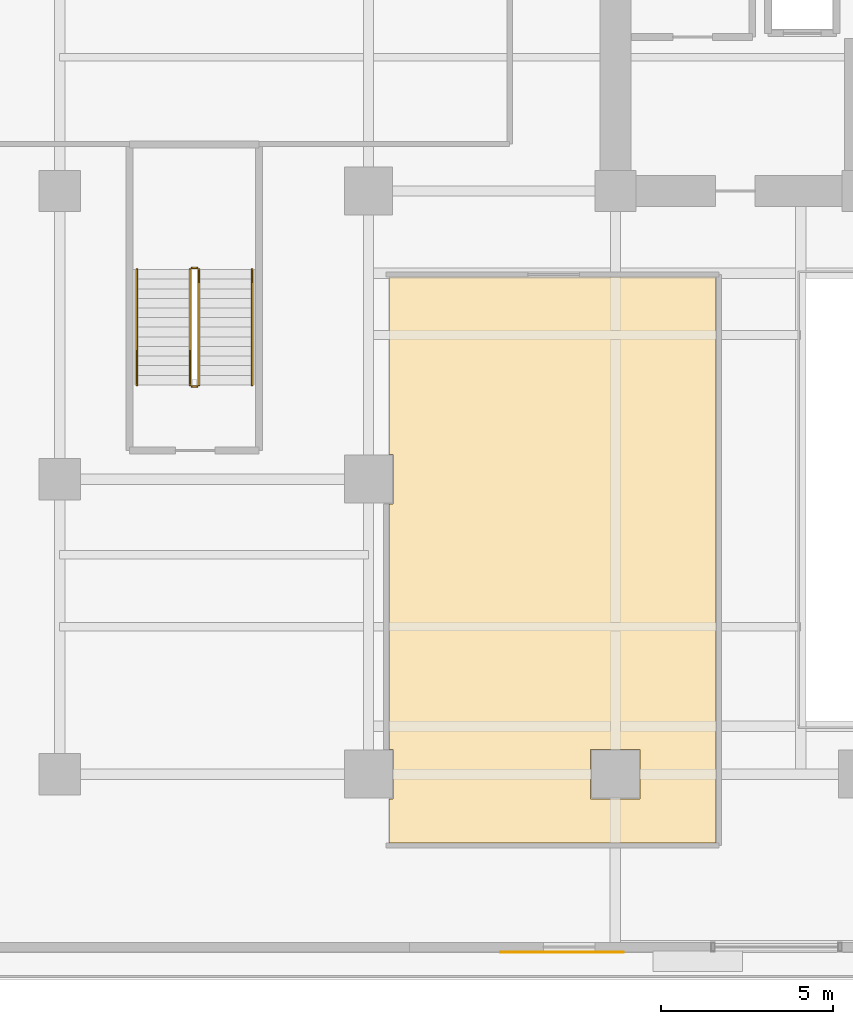
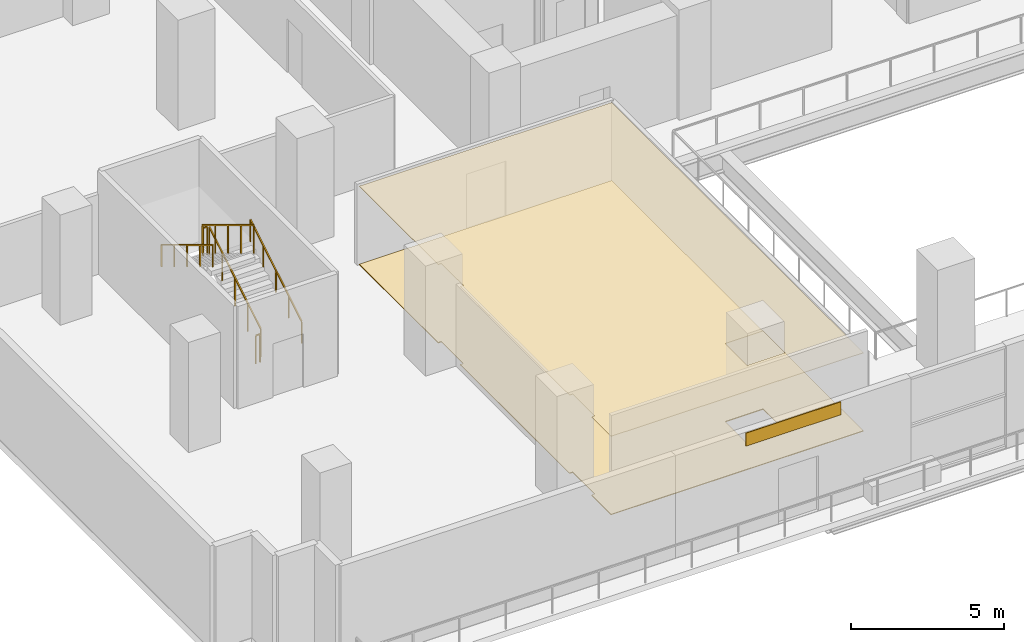
# One storey, part 17 of 23: 6 railings, 3 coverings.
"""IFC4 building model written with IfcOpenShell, lengths in metres."""

from ifc_helpers import new_model, si_unit, direction, frame, origin, origin_2d, place, context, subcontext, project, spatial, polyline, rectangle, outline, extrude, source, transform, mapped, material, layer, layer_set, type_object, element, save


model = new_model("IFC4")

# Units and contexts
model_context = context("Model", 3, precision=1e-05, world=origin(), true_north=direction((0.0, 1.0)))
body_context = subcontext(model_context, "Body", "Model", "MODEL_VIEW")
ifc_project = project(units=[si_unit("LENGTHUNIT", "METRE"), si_unit("AREAUNIT", "SQUARE_METRE"), si_unit("VOLUMEUNIT", "CUBIC_METRE"), si_unit("PLANEANGLEUNIT", "RADIAN"), si_unit("MASSUNIT", "GRAM", prefix="KILO")], contexts=[model_context])

# Site, building, storey
site_placement = place(None, origin())
site = spatial("IfcSite", under=ifc_project, at=site_placement, CompositionType="ELEMENT")
building_placement = place(site_placement, origin())
building = spatial("IfcBuilding", under=site, at=building_placement, Name="Zarnakvel Exchange Tower", CompositionType="ELEMENT")
storey_placement = place(building_placement, frame((0.0, 0.0, 13.800048828125)))
storey = spatial("IfcBuildingStorey", under=building, at=storey_placement, Name="L03", CompositionType="ELEMENT", Elevation=13.800048828125)

# Coverings
ifc_material_1 = material(Name="Perforated Bronze Acoustic Metal Ceiling", Category="aluminium")
ifc_layer_1 = layer(ifc_material_1, 0.02001953125)
ifc_layer_set_1 = layer_set([ifc_layer_1], Name="Perforated Bronze Acoustic Metal Ceiling")
covering_type_1 = type_object("IfcCoveringType", Name="CLG-01", PredefinedType="CEILING", material=ifc_layer_set_1)
covering_1_placement = place(storey_placement, frame((0.0, 0.0, 3.1298828125)))
element("IfcCovering", 1, at=covering_1_placement, inside=storey, type_object=covering_type_1, Name="L03 Suspended Acoustic Ceiling (Conference Auditorium)", PredefinedType="CEILING", context=body_context, shape_type="SweptSolid", body=[
    extrude(outline(polyline([(-11.4599609375, -3.7099609375), (-11.4599609375, -20.199951171875), (-21.0, -20.199951171875), (-21.0, -18.919921875), (-20.8798828125, -18.919921875), (-20.8798828125, -17.47998046875), (-21.0, -17.47998046875), (-21.0, -10.320068359375), (-20.8798828125, -10.320068359375), (-20.8798828125, -8.8798828125), (-21.0, -8.8798828125), (-21.0, -3.7099609375), (-11.4599609375, -3.7099609375)]), holes=[polyline([(-13.679931640625, -18.919921875), (-13.679931640625, -17.47998046875), (-15.1201171875, -17.47998046875), (-15.1201171875, -18.919921875), (-13.679931640625, -18.919921875)])]), origin(), (0.0, 0.0, 1.0), 0.02001953125),
])
ifc_material_2 = material(Name="Honed Limestone & Turquoise Inlay Stone", Category="masonry")
ifc_layer_2 = layer(ifc_material_2, 0.030029296875)
ifc_layer_set_2 = layer_set([ifc_layer_2], Name="Honed Limestone & Turquoise Inlay Stone")
covering_type_2 = type_object("IfcCoveringType", Name="FLR-01", PredefinedType="FLOORING", material=ifc_layer_set_2)
covering_2_placement = place(storey_placement, origin())
element("IfcCovering", 2, at=covering_2_placement, inside=storey, type_object=covering_type_2, Name="L03 Floor Finish (Conference Auditorium)", PredefinedType="FLOORING", context=body_context, shape_type="SweptSolid", body=[
    extrude(outline(polyline([(-11.4599609375, -3.7099609375), (-11.4599609375, -20.199951171875), (-21.0, -20.199951171875), (-21.0, -18.919921875), (-20.8798828125, -18.919921875), (-20.8798828125, -17.47998046875), (-21.0, -17.47998046875), (-21.0, -10.320068359375), (-20.8798828125, -10.320068359375), (-20.8798828125, -8.8798828125), (-21.0, -8.8798828125), (-21.0, -3.7099609375), (-11.4599609375, -3.7099609375)]), holes=[polyline([(-13.679931640625, -18.919921875), (-13.679931640625, -17.47998046875), (-15.1201171875, -17.47998046875), (-15.1201171875, -18.919921875), (-13.679931640625, -18.919921875)])]), origin(), (0.0, 0.0, 1.0), 0.030029296875),
])

# Railings
ifc_material_3 = material(Name="Brushed Stainless Steel", Category="steel")
railing_type_1 = type_object("IfcRailingType", Name="HR-01", PredefinedType="HANDRAIL", material=ifc_material_3)
railing_1_placement = place(storey_placement, frame((-24.989990234375, -6.85009765625, 0.169189453125)))
element("IfcRailing", 3, at=railing_1_placement, inside=storey, type_object=railing_type_1, Name="L03 ST-03 stair handrail 1", PredefinedType="HANDRAIL", context=body_context, shape_type="SweptSolid", body=[
    extrude(rectangle(XDim=0.048095703125, YDim=0.048095703125, at=origin_2d()), frame((0.0, 0.0, 0.8759765625), z_axis=(0.0, 0.855836976705, 0.517245656632), x_axis=(-1.0, 0.0, 0.0)), (0.0, 0.0, 1.0), 3.926025390625),
    extrude(rectangle(XDim=0.0419921875, YDim=0.0419921875, at=origin_2d()), origin(), (0.0, 0.0, 1.0), 0.851806640625),
    extrude(rectangle(XDim=0.0419921875, YDim=0.0419921875, at=origin_2d()), frame((0.0, 0.840087890625, 0.5078125)), (0.0, 0.0, 1.0), 0.851806640625),
    extrude(rectangle(XDim=0.0419921875, YDim=0.0419921875, at=origin_2d()), frame((0.0, 1.68017578125, 1.015380859375)), (0.0, 0.0, 1.0), 0.851806640625),
    extrude(rectangle(XDim=0.0419921875, YDim=0.0419921875, at=origin_2d()), frame((0.0, 2.52001953125, 1.52294921875)), (0.0, 0.0, 1.0), 0.851806640625),
    extrude(rectangle(XDim=0.0419921875, YDim=0.0419921875, at=origin_2d()), frame((0.0, 3.360107421875, 2.03076171875)), (0.0, 0.0, 1.0), 0.851806640625),
])
railing_2_placement = place(storey_placement, frame((-28.35009765625, -3.489990234375, 2.369140625)))
element("IfcRailing", 4, at=railing_2_placement, inside=storey, type_object=railing_type_1, Name="L03 ST-03 stair handrail 2", PredefinedType="HANDRAIL", context=body_context, shape_type="SweptSolid", body=[
    extrude(rectangle(XDim=0.048095703125, YDim=0.048095703125, at=origin_2d()), frame((0.0, 0.0, 0.8759765625), z_axis=(0.0, -0.855836976705, 0.517245656632), x_axis=(1.0, 0.0, 0.0)), (0.0, 0.0, 1.0), 3.926025390625),
    extrude(rectangle(XDim=0.0419921875, YDim=0.0419921875, at=origin_2d()), origin(), (0.0, 0.0, 1.0), 0.851806640625),
    extrude(rectangle(XDim=0.0419921875, YDim=0.0419921875, at=origin_2d()), frame((0.0, -0.840087890625, 0.5078125)), (0.0, 0.0, 1.0), 0.851806640625),
    extrude(rectangle(XDim=0.0419921875, YDim=0.0419921875, at=origin_2d()), frame((0.0, -1.68017578125, 1.015380859375)), (0.0, 0.0, 1.0), 0.851806640625),
    extrude(rectangle(XDim=0.0419921875, YDim=0.0419921875, at=origin_2d()), frame((0.0, -2.52001953125, 1.52294921875)), (0.0, 0.0, 1.0), 0.851806640625),
    extrude(rectangle(XDim=0.0419921875, YDim=0.0419921875, at=origin_2d()), frame((0.0, -3.360107421875, 2.03076171875)), (0.0, 0.0, 1.0), 0.851806640625),
])
ifc_material_4 = material(Name="Architectural Bronze Anodised Aluminium", Category="aluminium")
railing_type_2 = type_object("IfcRailingType", Name="SG-01", PredefinedType="GUARDRAIL", material=ifc_material_4)
railing_3_placement = place(storey_placement, frame((-26.5400390625, -6.85009765625, 0.169189453125)))
element("IfcRailing", 5, at=railing_3_placement, inside=storey, type_object=railing_type_2, Name="L03 ST-03 stair guard 1", PredefinedType="GUARDRAIL", context=body_context, shape_type="SweptSolid", body=[
    extrude(rectangle(XDim=0.048095703125, YDim=0.048095703125, at=origin_2d()), frame((0.0, 0.0, 1.1259765625), z_axis=(0.0, 0.855836976705, 0.517245656632), x_axis=(-1.0, 0.0, 0.0)), (0.0, 0.0, 1.0), 3.926025390625),
    extrude(rectangle(XDim=0.0419921875, YDim=0.0419921875, at=origin_2d()), origin(), (0.0, 0.0, 1.0), 1.101806640625),
    extrude(rectangle(XDim=0.0419921875, YDim=0.0419921875, at=origin_2d()), frame((0.0, 0.840087890625, 0.5078125)), (0.0, 0.0, 1.0), 1.101806640625),
    extrude(rectangle(XDim=0.0419921875, YDim=0.0419921875, at=origin_2d()), frame((0.0, 1.68017578125, 1.015380859375)), (0.0, 0.0, 1.0), 1.101806640625),
    extrude(rectangle(XDim=0.0419921875, YDim=0.0419921875, at=origin_2d()), frame((0.0, 2.52001953125, 1.52294921875)), (0.0, 0.0, 1.0), 1.101806640625),
    extrude(rectangle(XDim=0.0419921875, YDim=0.0419921875, at=origin_2d()), frame((0.0, 3.360107421875, 2.03076171875)), (0.0, 0.0, 1.0), 1.101806640625),
])
railing_4_placement = place(storey_placement, frame((-26.590087890625, -3.43994140625, 2.199951171875)))
element("IfcRailing", 6, at=railing_4_placement, inside=storey, type_object=railing_type_2, Name="L03 ST-03 stair guard 2", PredefinedType="GUARDRAIL", context=body_context, shape_type="SweptSolid", body=[
    extrude(rectangle(XDim=0.048095703125, YDim=0.048095703125, at=origin_2d()), frame((0.0, 0.0, 1.1259765625), z_axis=(-1.0, 0.0, 0.0), x_axis=(0.0, -1.0, 0.0)), (0.0, 0.0, 1.0), 0.159912109375),
    extrude(rectangle(XDim=0.0419921875, YDim=0.0419921875, at=origin_2d()), origin(), (0.0, 0.0, 1.0), 1.101806640625),
    extrude(rectangle(XDim=0.0419921875, YDim=0.0419921875, at=origin_2d()), frame((-0.159912109375, 0.0, 0.0)), (0.0, 0.0, 1.0), 1.101806640625),
])
railing_5_placement = place(storey_placement, frame((-26.800048828125, -3.489990234375, 2.369140625)))
element("IfcRailing", 7, at=railing_5_placement, inside=storey, type_object=railing_type_2, Name="L03 ST-03 stair guard 3", PredefinedType="GUARDRAIL", context=body_context, shape_type="SweptSolid", body=[
    extrude(rectangle(XDim=0.048095703125, YDim=0.048095703125, at=origin_2d()), frame((0.0, 0.0, 1.1259765625), z_axis=(0.0, -0.855836976705, 0.517245656632), x_axis=(1.0, 0.0, 0.0)), (0.0, 0.0, 1.0), 3.926025390625),
    extrude(rectangle(XDim=0.0419921875, YDim=0.0419921875, at=origin_2d()), origin(), (0.0, 0.0, 1.0), 1.101806640625),
    extrude(rectangle(XDim=0.0419921875, YDim=0.0419921875, at=origin_2d()), frame((0.0, -0.840087890625, 0.5078125)), (0.0, 0.0, 1.0), 1.101806640625),
    extrude(rectangle(XDim=0.0419921875, YDim=0.0419921875, at=origin_2d()), frame((0.0, -1.68017578125, 1.015380859375)), (0.0, 0.0, 1.0), 1.101806640625),
    extrude(rectangle(XDim=0.0419921875, YDim=0.0419921875, at=origin_2d()), frame((0.0, -2.52001953125, 1.52294921875)), (0.0, 0.0, 1.0), 1.101806640625),
    extrude(rectangle(XDim=0.0419921875, YDim=0.0419921875, at=origin_2d()), frame((0.0, -3.360107421875, 2.03076171875)), (0.0, 0.0, 1.0), 1.101806640625),
])
railing_6_placement = place(storey_placement, frame((-26.590087890625, -6.89990234375, 0.0)))
element("IfcRailing", 8, at=railing_6_placement, inside=storey, type_object=railing_type_2, Name="L03 ST-03 stair guard 4", PredefinedType="GUARDRAIL", context=body_context, shape_type="SweptSolid", body=[
    extrude(rectangle(XDim=0.048095703125, YDim=0.048095703125, at=origin_2d()), frame((0.0, 0.0, 1.1259765625), z_axis=(-1.0, 0.0, 0.0), x_axis=(0.0, -1.0, 0.0)), (0.0, 0.0, 1.0), 0.159912109375),
    extrude(rectangle(XDim=0.0419921875, YDim=0.0419921875, at=origin_2d()), origin(), (0.0, 0.0, 1.0), 1.101806640625),
    extrude(rectangle(XDim=0.0419921875, YDim=0.0419921875, at=origin_2d()), frame((-0.159912109375, 0.0, 0.0)), (0.0, 0.0, 1.0), 1.101806640625),
])

# Covering
ifc_material_5 = material(Name="Glazed Turquoise Ceramic Architectural Tile", Category="ceramic")
ifc_layer_3 = layer(ifc_material_5, 0.028076171875)
ifc_layer_set_3 = layer_set([ifc_layer_3], Name="Glazed Turquoise Ceramic Architectural Tile")
covering_type_3 = type_object("IfcCoveringType", Name="CL-01", PredefinedType="CLADDING", material=ifc_layer_set_3)
shared_shape = source(origin(), body_context, "Body", "SweptSolid", [
    extrude(rectangle(XDim=3.60009765625, YDim=0.028076171875, at=origin_2d()), origin(), (0.0, 0.0, 1.0), 0.52001953125),
])
covering_3_placement = place(storey_placement, frame((-15.952392578125, -23.39208984375, 3.56005859375), z_axis=(0.0, 0.0, 1.0), x_axis=(-1.0, 0.0, 0.0)))
element("IfcCovering", 9, at=covering_3_placement, inside=storey, type_object=covering_type_3, Name="L03 Ceramic Spandrel Tilework CL-01", PredefinedType="CLADDING", context=body_context, shape_type="MappedRepresentation", body=[
    mapped(shared_shape, transform((0.0, 0.0, 0.0), x_axis=(1.0, 0.0, 0.0), y_axis=(0.0, 1.0, 0.0), z_axis=(0.0, 0.0, 1.0), scale=1.0)),
])

save(model, "model.ifc")
